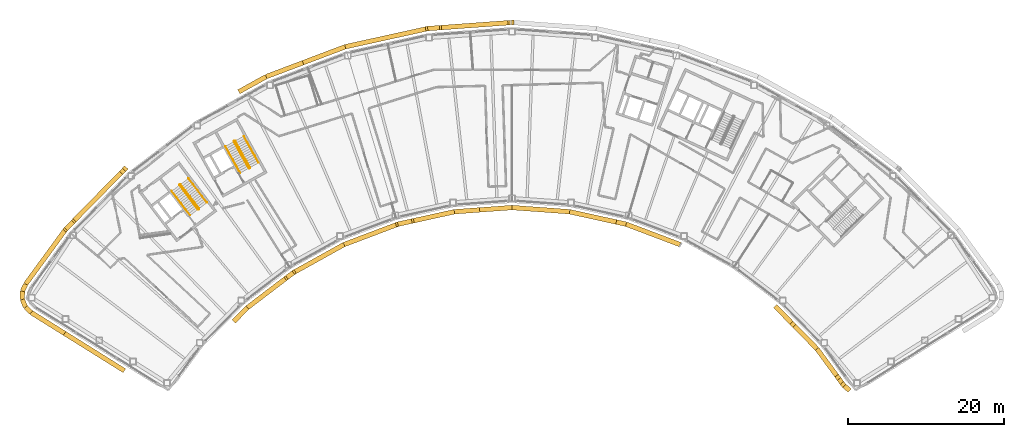
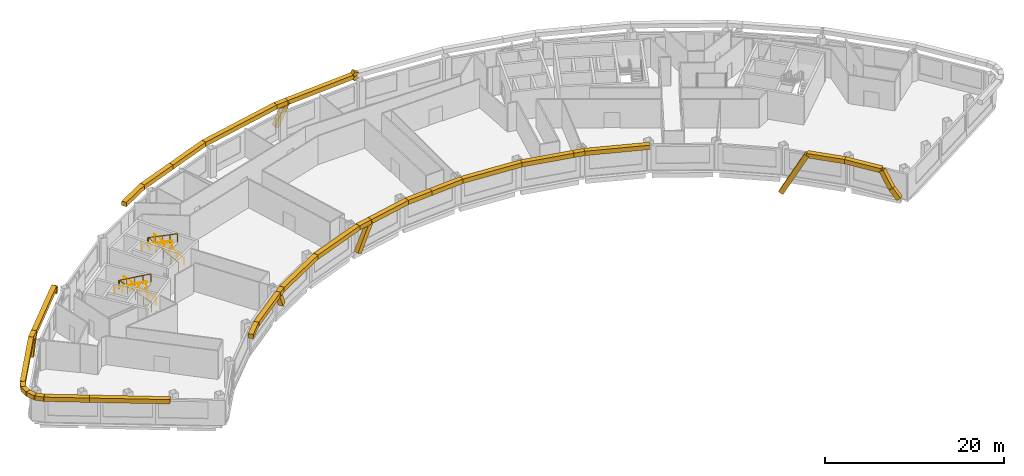
# One storey, part 12 of 13: 40 coverings, 6 railings.
"""IFC4 building model written with IfcOpenShell, lengths in metres."""

from ifc_helpers import new_model, si_unit, direction, frame, origin, origin_2d, place, context, subcontext, project, spatial, rectangle, circle, extrude, material, material_profile, profile_set, type_object, element, save


model = new_model("IFC4")

# Units and contexts
model_context = context("Model", 3, precision=1e-05, world=origin(), true_north=direction((0.0, 1.0)))
body_context = subcontext(model_context, "Body", "Model", "MODEL_VIEW")
ifc_project = project(units=[si_unit("LENGTHUNIT", "METRE"), si_unit("AREAUNIT", "SQUARE_METRE"), si_unit("VOLUMEUNIT", "CUBIC_METRE"), si_unit("PLANEANGLEUNIT", "RADIAN"), si_unit("MASSUNIT", "GRAM", prefix="KILO")], contexts=[model_context])

# Site, building, storey
site_placement = place(None, origin())
site = spatial("IfcSite", under=ifc_project, at=site_placement, CompositionType="ELEMENT")
building_placement = place(site_placement, origin())
building = spatial("IfcBuilding", under=site, at=building_placement, Name="Tuul Gate Civic Tower", CompositionType="ELEMENT")
storey_placement = place(building_placement, frame((0.0, 0.0, 290.0)))
storey = spatial("IfcBuildingStorey", under=building, at=storey_placement, Name="Level 65", CompositionType="ELEMENT", Elevation=290.0)

# Railings
ifc_material_1 = material(Name="Painted steel", Category="steel")
railing_type_1 = type_object("IfcRailingType", Name="Stair guard", PredefinedType="GUARDRAIL", material=ifc_material_1)
railing_1_placement = place(storey_placement, frame((-33.382080078125, -13.515380859375, 0.0)))
element("IfcRailing", 1, at=railing_1_placement, inside=storey, type_object=railing_type_1, Name="Level 65 ST-1 stair guard 1", PredefinedType="GUARDRAIL", context=body_context, shape_type="SweptSolid", body=[
    extrude(circle(Radius=0.02392578125, at=origin_2d()), frame((0.0, 0.0, 1.076171875), z_axis=(-0.795879841968, -0.605454603706, 0.0), x_axis=(0.605454603706, -0.795879841968, 0.0)), (0.0, 0.0, 1.0), 0.10009765625),
    extrude(circle(Radius=0.02392578125, at=origin_2d()), frame((-0.07958984375, -0.060546875, 1.076171875), z_axis=(0.408991890351, 0.599481263939, 0.688002796371), x_axis=(-0.826063974707, 0.563576356576, 0.0)), (0.0, 0.0, 1.0), 0.2177734375),
    extrude(circle(Radius=0.02392578125, at=origin_2d()), frame((0.009521484375, 0.070068359375, 1.22607421875), z_axis=(-0.541810893183, 0.711627203922, 0.44724454012), x_axis=(-0.795637165283, -0.60577347352, 0.0)), (0.0, 0.0, 1.0), 4.3603515625),
    extrude(circle(Radius=0.02392578125, at=origin_2d()), frame((-2.35302734375, 3.173095703125, 3.17626953125), z_axis=(-0.990893089246, 0.134650977284, 0.0), x_axis=(-0.134650977284, -0.990893089246, 0.0)), (0.0, 0.0, 1.0), 0.07080078125),
    extrude(circle(Radius=0.02392578125, at=origin_2d()), frame((-2.423095703125, 3.1826171875, 3.17626953125), z_axis=(-0.793802879778, -0.60817512943, 0.0), x_axis=(0.60817512943, -0.793802879778, 0.0)), (0.0, 0.0, 1.0), 0.099853515625),
    extrude(circle(Radius=0.02392578125, at=origin_2d()), frame((-2.50244140625, 3.121826171875, 3.17626953125), z_axis=(-0.057447065493, -0.422751481959, 0.904423031091), x_axis=(0.990893089246, -0.134650977284, 0.0)), (0.0, 0.0, 1.0), 0.165771484375),
    extrude(circle(Radius=0.02392578125, at=origin_2d()), frame((-2.511962890625, 3.0517578125, 3.326171875), z_axis=(0.541806494602, -0.71163897684, 0.447231136047), x_axis=(0.795644365679, 0.605764016233, 0.0)), (0.0, 0.0, 1.0), 4.360107421875),
    extrude(circle(Radius=0.02099609375, at=origin_2d()), origin(), (0.0, 0.0, 1.0), 1.052001953125),
    extrude(circle(Radius=0.02099609375, at=origin_2d()), frame((-0.07958984375, -0.060546875, 0.0)), (0.0, 0.0, 1.0), 1.052001953125),
    extrude(circle(Radius=0.02099609375, at=origin_2d()), frame((0.009521484375, 0.070068359375, 0.14990234375)), (0.0, 0.0, 1.0), 1.052001953125),
    extrude(circle(Radius=0.02099609375, at=origin_2d()), frame((-0.5810546875, 0.845703125, 0.637451171875)), (0.0, 0.0, 1.0), 1.052001953125),
    extrude(circle(Radius=0.02099609375, at=origin_2d()), frame((-1.171875, 1.62158203125, 1.125)), (0.0, 0.0, 1.0), 1.052001953125),
    extrude(circle(Radius=0.02099609375, at=origin_2d()), frame((-1.762451171875, 2.3974609375, 1.612548828125)), (0.0, 0.0, 1.0), 1.052001953125),
    extrude(circle(Radius=0.02099609375, at=origin_2d()), frame((-2.35302734375, 3.173095703125, 2.10009765625)), (0.0, 0.0, 1.0), 1.052001953125),
    extrude(circle(Radius=0.02099609375, at=origin_2d()), frame((-2.423095703125, 3.1826171875, 2.10009765625)), (0.0, 0.0, 1.0), 1.052001953125),
    extrude(circle(Radius=0.02099609375, at=origin_2d()), frame((-2.50244140625, 3.121826171875, 2.10009765625)), (0.0, 0.0, 1.0), 1.052001953125),
    extrude(circle(Radius=0.02099609375, at=origin_2d()), frame((-2.511962890625, 3.0517578125, 2.25)), (0.0, 0.0, 1.0), 1.052001953125),
    extrude(circle(Radius=0.02099609375, at=origin_2d()), frame((-1.92138671875, 2.276123046875, 2.737548828125)), (0.0, 0.0, 1.0), 1.052001953125),
    extrude(circle(Radius=0.02099609375, at=origin_2d()), frame((-1.330810546875, 1.50048828125, 3.22509765625)), (0.0, 0.0, 1.0), 1.052001953125),
    extrude(circle(Radius=0.02099609375, at=origin_2d()), frame((-0.740234375, 0.724609375, 3.71240234375)), (0.0, 0.0, 1.0), 1.052001953125),
    extrude(circle(Radius=0.02099609375, at=origin_2d()), frame((-0.149658203125, -0.051025390625, 4.199951171875)), (0.0, 0.0, 1.0), 1.052001953125),
])
railing_2_placement = place(storey_placement, frame((-26.857666015625, -8.247314453125, 0.0)))
element("IfcRailing", 2, at=railing_2_placement, inside=storey, type_object=railing_type_1, Name="Level 65 ST-2 stair guard 1", PredefinedType="GUARDRAIL", context=body_context, shape_type="SweptSolid", body=[
    extrude(circle(Radius=0.02392578125, at=origin_2d()), frame((0.0, 0.0, 1.076171875), z_axis=(-0.874616555828, -0.48481530532, 0.0), x_axis=(0.48481530532, -0.874616555828, 0.0)), (0.0, 0.0, 1.0), 0.10009765625),
    extrude(circle(Radius=0.02392578125, at=origin_2d()), frame((-0.087646484375, -0.048583984375, 1.076171875), z_axis=(0.49081399482, 0.534516610797, 0.688036056665), x_axis=(-0.736576986774, 0.676353711126, 0.0)), (0.0, 0.0, 1.0), 0.2177734375),
    extrude(circle(Radius=0.02392578125, at=origin_2d()), frame((0.019287109375, 0.06787109375, 1.22607421875), z_axis=(-0.433539057192, 0.782307594871, 0.447256875739), x_axis=(-0.874667644053, -0.484723129681, 0.0)), (0.0, 0.0, 1.0), 4.3603515625),
    extrude(circle(Radius=0.02392578125, at=origin_2d()), frame((-1.87109375, 3.47900390625, 3.17626953125), z_axis=(-0.961263487578, 0.275631107549, 0.0), x_axis=(-0.275631107549, -0.961263487578, 0.0)), (0.0, 0.0, 1.0), 0.07080078125),
    extrude(circle(Radius=0.02392578125, at=origin_2d()), frame((-1.939208984375, 3.49853515625, 3.17626953125), z_axis=(-0.874042088414, -0.485850211157, 0.0), x_axis=(0.485850211157, -0.874042088414, 0.0)), (0.0, 0.0, 1.0), 0.10009765625),
    extrude(circle(Radius=0.02392578125, at=origin_2d()), frame((-2.026611328125, 3.449951171875, 3.17626953125), z_axis=(-0.117866478395, -0.409586012422, 0.90462522168), x_axis=(0.961000426733, -0.276546885391, 0.0)), (0.0, 0.0, 1.0), 0.165771484375),
    extrude(circle(Radius=0.02392578125, at=origin_2d()), frame((-2.046142578125, 3.382080078125, 3.326171875), z_axis=(0.433595379963, -0.782308193291, 0.447201226726), x_axis=(0.874641102302, 0.484771020343, 0.0)), (0.0, 0.0, 1.0), 4.3603515625),
    extrude(circle(Radius=0.02099609375, at=origin_2d()), origin(), (0.0, 0.0, 1.0), 1.052001953125),
    extrude(circle(Radius=0.02099609375, at=origin_2d()), frame((-0.087646484375, -0.048583984375, 0.0)), (0.0, 0.0, 1.0), 1.052001953125),
    extrude(circle(Radius=0.02099609375, at=origin_2d()), frame((0.019287109375, 0.06787109375, 0.14990234375)), (0.0, 0.0, 1.0), 1.052001953125),
    extrude(circle(Radius=0.02099609375, at=origin_2d()), frame((-0.453369140625, 0.920654296875, 0.637451171875)), (0.0, 0.0, 1.0), 1.052001953125),
    extrude(circle(Radius=0.02099609375, at=origin_2d()), frame((-0.92578125, 1.7734375, 1.125)), (0.0, 0.0, 1.0), 1.052001953125),
    extrude(circle(Radius=0.02099609375, at=origin_2d()), frame((-1.3984375, 2.626220703125, 1.612548828125)), (0.0, 0.0, 1.0), 1.052001953125),
    extrude(circle(Radius=0.02099609375, at=origin_2d()), frame((-1.87109375, 3.47900390625, 2.10009765625)), (0.0, 0.0, 1.0), 1.052001953125),
    extrude(circle(Radius=0.02099609375, at=origin_2d()), frame((-1.939208984375, 3.49853515625, 2.10009765625)), (0.0, 0.0, 1.0), 1.052001953125),
    extrude(circle(Radius=0.02099609375, at=origin_2d()), frame((-2.026611328125, 3.449951171875, 2.10009765625)), (0.0, 0.0, 1.0), 1.052001953125),
    extrude(circle(Radius=0.02099609375, at=origin_2d()), frame((-2.046142578125, 3.382080078125, 2.25)), (0.0, 0.0, 1.0), 1.052001953125),
    extrude(circle(Radius=0.02099609375, at=origin_2d()), frame((-1.573486328125, 2.529296875, 2.737548828125)), (0.0, 0.0, 1.0), 1.052001953125),
    extrude(circle(Radius=0.02099609375, at=origin_2d()), frame((-1.100830078125, 1.676513671875, 3.22509765625)), (0.0, 0.0, 1.0), 1.052001953125),
    extrude(circle(Radius=0.02099609375, at=origin_2d()), frame((-0.628173828125, 0.82373046875, 3.71240234375)), (0.0, 0.0, 1.0), 1.052001953125),
    extrude(circle(Radius=0.02099609375, at=origin_2d()), frame((-0.155517578125, -0.029052734375, 4.199951171875)), (0.0, 0.0, 1.0), 1.052001953125),
])
ifc_material_2 = material(Name="Painted steel", Category="steel")
railing_type_2 = type_object("IfcRailingType", Name="Stair handrail", PredefinedType="HANDRAIL", material=ifc_material_2)
railing_3_placement = place(storey_placement, frame((-32.3779296875, -12.688232421875, 0.14990234375)))
element("IfcRailing", 3, at=railing_3_placement, inside=storey, type_object=railing_type_2, Name="Level 65 ST-1 stair handrail 1", PredefinedType="HANDRAIL", context=body_context, shape_type="SweptSolid", body=[
    extrude(circle(Radius=0.02392578125, at=origin_2d()), frame((0.0, 0.0, 0.8759765625), z_axis=(-0.541810893183, 0.711627203922, 0.44724454012), x_axis=(-0.795637165283, -0.60577347352, 0.0)), (0.0, 0.0, 1.0), 4.3603515625),
    extrude(circle(Radius=0.02099609375, at=origin_2d()), origin(), (0.0, 0.0, 1.0), 0.851806640625),
    extrude(circle(Radius=0.02099609375, at=origin_2d()), frame((-0.590576171875, 0.77587890625, 0.487548828125)), (0.0, 0.0, 1.0), 0.851806640625),
    extrude(circle(Radius=0.02099609375, at=origin_2d()), frame((-1.18115234375, 1.551513671875, 0.97509765625)), (0.0, 0.0, 1.0), 0.851806640625),
    extrude(circle(Radius=0.02099609375, at=origin_2d()), frame((-1.77197265625, 2.3271484375, 1.462646484375)), (0.0, 0.0, 1.0), 0.851806640625),
    extrude(circle(Radius=0.02099609375, at=origin_2d()), frame((-2.362548828125, 3.10302734375, 1.9501953125)), (0.0, 0.0, 1.0), 0.851806640625),
])
railing_4_placement = place(storey_placement, frame((-36.888671875, -11.220703125, 2.25)))
element("IfcRailing", 4, at=railing_4_placement, inside=storey, type_object=railing_type_2, Name="Level 65 ST-1 stair handrail 2", PredefinedType="HANDRAIL", context=body_context, shape_type="SweptSolid", body=[
    extrude(circle(Radius=0.02392578125, at=origin_2d()), frame((0.0, 0.0, 0.8759765625), z_axis=(0.541824460341, -0.711645023348, 0.447199748346), x_axis=(0.795637165283, 0.60577347352, 0.0)), (0.0, 0.0, 1.0), 4.3603515625),
    extrude(circle(Radius=0.02099609375, at=origin_2d()), origin(), (0.0, 0.0, 1.0), 0.851806640625),
    extrude(circle(Radius=0.02099609375, at=origin_2d()), frame((0.590576171875, -0.77587890625, 0.487548828125)), (0.0, 0.0, 1.0), 0.851806640625),
    extrude(circle(Radius=0.02099609375, at=origin_2d()), frame((1.18115234375, -1.551513671875, 0.97509765625)), (0.0, 0.0, 1.0), 0.851806640625),
    extrude(circle(Radius=0.02099609375, at=origin_2d()), frame((1.77197265625, -2.3271484375, 1.46240234375)), (0.0, 0.0, 1.0), 0.851806640625),
    extrude(circle(Radius=0.02099609375, at=origin_2d()), frame((2.362548828125, -3.10302734375, 1.949951171875)), (0.0, 0.0, 1.0), 0.851806640625),
])
railing_5_placement = place(storey_placement, frame((-25.744873046875, -7.573486328125, 0.14990234375)))
element("IfcRailing", 5, at=railing_5_placement, inside=storey, type_object=railing_type_2, Name="Level 65 ST-2 stair handrail 1", PredefinedType="HANDRAIL", context=body_context, shape_type="SweptSolid", body=[
    extrude(circle(Radius=0.02392578125, at=origin_2d()), frame((0.0, 0.0, 0.8759765625), z_axis=(-0.433584522764, 0.782288604346, 0.447246018574), x_axis=(-0.874641102302, -0.484771020343, 0.0)), (0.0, 0.0, 1.0), 4.3603515625),
    extrude(circle(Radius=0.02099609375, at=origin_2d()), origin(), (0.0, 0.0, 1.0), 0.851806640625),
    extrude(circle(Radius=0.02099609375, at=origin_2d()), frame((-0.47265625, 0.852783203125, 0.487548828125)), (0.0, 0.0, 1.0), 0.851806640625),
    extrude(circle(Radius=0.02099609375, at=origin_2d()), frame((-0.9453125, 1.70556640625, 0.97509765625)), (0.0, 0.0, 1.0), 0.851806640625),
    extrude(circle(Radius=0.02099609375, at=origin_2d()), frame((-1.41796875, 2.558349609375, 1.462646484375)), (0.0, 0.0, 1.0), 0.851806640625),
    extrude(circle(Radius=0.02099609375, at=origin_2d()), frame((-1.890625, 3.4111328125, 1.9501953125)), (0.0, 0.0, 1.0), 0.851806640625),
])
railing_6_placement = place(storey_placement, frame((-29.9970703125, -5.47119140625, 2.25)))
element("IfcRailing", 6, at=railing_6_placement, inside=storey, type_object=railing_type_2, Name="Level 65 ST-2 stair handrail 2", PredefinedType="HANDRAIL", context=body_context, shape_type="SweptSolid", body=[
    extrude(circle(Radius=0.02392578125, at=origin_2d()), frame((0.0, 0.0, 0.8759765625), z_axis=(0.433595379963, -0.782308193291, 0.447201226726), x_axis=(0.874641102302, 0.484771020343, 0.0)), (0.0, 0.0, 1.0), 4.3603515625),
    extrude(circle(Radius=0.02099609375, at=origin_2d()), origin(), (0.0, 0.0, 1.0), 0.851806640625),
    extrude(circle(Radius=0.02099609375, at=origin_2d()), frame((0.47265625, -0.852783203125, 0.487548828125)), (0.0, 0.0, 1.0), 0.851806640625),
    extrude(circle(Radius=0.02099609375, at=origin_2d()), frame((0.9453125, -1.70556640625, 0.97509765625)), (0.0, 0.0, 1.0), 0.851806640625),
    extrude(circle(Radius=0.02099609375, at=origin_2d()), frame((1.41796875, -2.558349609375, 1.46240234375)), (0.0, 0.0, 1.0), 0.851806640625),
    extrude(circle(Radius=0.02099609375, at=origin_2d()), frame((1.890625, -3.4111328125, 1.949951171875)), (0.0, 0.0, 1.0), 0.851806640625),
])

# Coverings
ifc_material_3 = material(Name="Terracotta baguette", Category="masonry")
ifc_material_profile = material_profile(ifc_material_3, rectangle(XDim=0.60009765625, YDim=0.60009765625, at=origin_2d()), Name="Terracotta baguette screen frame")
ifc_profile_set = profile_set([ifc_material_profile], Name="Terracotta baguette")
covering_type = type_object("IfcCoveringType", Name="Terracotta baguette screen frame", PredefinedType="CLADDING", material=ifc_profile_set)
for number, where, z_axis, x_axis, name in (
    (7, (6.7880859375, 10.43505859375, 4.34814453125), (-0.473997553989, -0.034503916578, -0.879849872736), (0.072601349588, -0.997361039964, 0.0), "Baguette 70"),
    (8, (6.519775390625, 10.41552734375, 3.85009765625), (0.473817740473, 0.034490827332, -0.879947232306), (-0.072601349588, 0.997361039964, 0.0), "Baguette 73"),
):
    element("IfcCovering", number, at=place(storey_placement, frame(where, z_axis=z_axis, x_axis=x_axis)), inside=storey, type_object=covering_type, Name=name, PredefinedType="CLADDING", context=body_context, shape_type="SweptSolid", body=[
        extrude(rectangle(XDim=0.60009765625, YDim=0.60009765625, at=origin_2d()), origin(), (0.0, 0.0, 1.0), 0.566162109375),
    ])
covering_1_placement = place(storey_placement, frame((6.519775390625, 10.41552734375, 3.85009765625), z_axis=(-0.997386341974, -0.072252922734, 0.0), x_axis=(0.072252922734, -0.997386341974, 0.0)))
element("IfcCovering", 9, at=covering_1_placement, inside=storey, type_object=covering_type, Name="Baguette 75", PredefinedType="CLADDING", context=body_context, shape_type="SweptSolid", body=[
    extrude(rectangle(XDim=0.60009765625, YDim=0.60009765625, at=origin_2d()), origin(), (0.0, 0.0, 1.0), 9.072509765625),
])
covering_2_placement = place(storey_placement, frame((-2.529052734375, 9.760009765625, 3.85009765625), z_axis=(-0.473954067998, -0.034282113903, -0.879881968274), x_axis=(0.072143664594, -0.997394250865, 0.0)))
element("IfcCovering", 10, at=covering_2_placement, inside=storey, type_object=covering_type, Name="Baguette 79", PredefinedType="CLADDING", context=body_context, shape_type="SweptSolid", body=[
    extrude(rectangle(XDim=0.60009765625, YDim=0.60009765625, at=origin_2d()), origin(), (0.0, 0.0, 1.0), 3.17626953125),
])
covering_3_placement = place(storey_placement, frame((-20.041748046875, 5.26953125, 3.85009765625), z_axis=(-0.935351328768, -0.353720075442, 0.0), x_axis=(0.353720075442, -0.935351328768, 0.0)))
element("IfcCovering", 11, at=covering_3_placement, inside=storey, type_object=covering_type, Name="Baguette 96", PredefinedType="CLADDING", context=body_context, shape_type="SweptSolid", body=[
    extrude(rectangle(XDim=0.60009765625, YDim=0.60009765625, at=origin_2d()), origin(), (0.0, 0.0, 1.0), 5.06689453125),
])
covering_4_placement = place(storey_placement, frame((-24.781005859375, 3.477294921875, 3.85009765625), z_axis=(-0.874628361903, -0.484794006312, 0.0), x_axis=(0.484794006312, -0.874628361903, 0.0)))
element("IfcCovering", 12, at=covering_4_placement, inside=storey, type_object=covering_type, Name="Baguette 97", PredefinedType="CLADDING", context=body_context, shape_type="SweptSolid", body=[
    extrude(rectangle(XDim=0.60009765625, YDim=0.60009765625, at=origin_2d()), origin(), (0.0, 0.0, 1.0), 4.005615234375),
])
covering_5_placement = place(storey_placement, frame((-43.218994140625, -8.677001953125, 3.85009765625), z_axis=(0.332665127515, 0.339401337262, -0.879852626978), x_axis=(-0.714158332197, 0.69998419736, 0.0)))
element("IfcCovering", 13, at=covering_5_placement, inside=storey, type_object=covering_type, Name="Baguette 115", PredefinedType="CLADDING", context=body_context, shape_type="SweptSolid", body=[
    extrude(rectangle(XDim=0.60009765625, YDim=0.60009765625, at=origin_2d()), origin(), (0.0, 0.0, 1.0), 0.9423828125),
])
covering_6_placement = place(storey_placement, frame((-43.218994140625, -8.677001953125, 3.85009765625), z_axis=(-0.700048272114, -0.714095523519, 0.0), x_axis=(0.714095523519, -0.700048272114, 0.0)))
element("IfcCovering", 14, at=covering_6_placement, inside=storey, type_object=covering_type, Name="Baguette 117", PredefinedType="CLADDING", context=body_context, shape_type="SweptSolid", body=[
    extrude(rectangle(XDim=0.60009765625, YDim=0.60009765625, at=origin_2d()), origin(), (0.0, 0.0, 1.0), 9.072265625),
])
covering_7_placement = place(storey_placement, frame((-49.570068359375, -15.155517578125, 3.85009765625), z_axis=(-0.33267215135, -0.339297697341, -0.879889943285), x_axis=(0.714044065429, -0.70010075891, 0.0)))
element("IfcCovering", 15, at=covering_7_placement, inside=storey, type_object=covering_type, Name="Baguette 121", PredefinedType="CLADDING", context=body_context, shape_type="SweptSolid", body=[
    extrude(rectangle(XDim=0.60009765625, YDim=0.60009765625, at=origin_2d()), origin(), (0.0, 0.0, 1.0), 2.800537109375),
])
covering_8_placement = place(storey_placement, frame((-50.657470703125, -29.478515625, 3.85009765625), z_axis=(0.848058898511, -0.529901976461, 0.0), x_axis=(0.529901976461, 0.848058898511, 0.0)))
element("IfcCovering", 16, at=covering_8_placement, inside=storey, type_object=covering_type, Name="Baguette 150", PredefinedType="CLADDING", context=body_context, shape_type="SweptSolid", body=[
    extrude(rectangle(XDim=0.60009765625, YDim=0.60009765625, at=origin_2d()), origin(), (0.0, 0.0, 1.0), 9.05322265625),
])
covering_9_placement = place(storey_placement, frame((-28.919677734375, -27.94580078125, 3.85009765625), z_axis=(0.700087148809, 0.714057409507, 0.0), x_axis=(-0.714057409507, 0.700087148809, 0.0)))
element("IfcCovering", 17, at=covering_9_placement, inside=storey, type_object=covering_type, Name="Baguette 181", PredefinedType="CLADDING", context=body_context, shape_type="SweptSolid", body=[
    extrude(rectangle(XDim=0.60009765625, YDim=0.60009765625, at=origin_2d()), origin(), (0.0, 0.0, 1.0), 2.4814453125),
])
covering_10_placement = place(storey_placement, frame((-27.182373046875, -26.173828125, 3.85009765625), z_axis=(0.795568060783, 0.60586422626, 0.0), x_axis=(-0.60586422626, 0.795568060783, 0.0)))
element("IfcCovering", 18, at=covering_10_placement, inside=storey, type_object=covering_type, Name="Baguette 182", PredefinedType="CLADDING", context=body_context, shape_type="SweptSolid", body=[
    extrude(rectangle(XDim=0.60009765625, YDim=0.60009765625, at=origin_2d()), origin(), (0.0, 0.0, 1.0), 6.370361328125),
])
covering_11_placement = place(storey_placement, frame((-22.1142578125, -22.314208984375, 3.85009765625), z_axis=(0.370820969139, 0.282380222324, -0.884733416848), x_axis=(-0.605839521282, 0.795586874234, 0.0)))
element("IfcCovering", 19, at=covering_11_placement, inside=storey, type_object=covering_type, Name="Baguette 186", PredefinedType="CLADDING", context=body_context, shape_type="SweptSolid", body=[
    extrude(rectangle(XDim=0.60009765625, YDim=0.60009765625, at=origin_2d()), origin(), (0.0, 0.0, 1.0), 2.2470703125),
])
covering_12_placement = place(storey_placement, frame((-6.07666015625, -15.06787109375, 3.85009765625), z_axis=(-0.455204171514, -0.100329949915, -0.884716374544), x_axis=(0.215240395152, -0.976561095014, 0.0)))
element("IfcCovering", 20, at=covering_12_placement, inside=storey, type_object=covering_type, Name="Baguette 204", PredefinedType="CLADDING", context=body_context, shape_type="SweptSolid", body=[
    extrude(rectangle(XDim=0.60009765625, YDim=0.60009765625, at=origin_2d()), origin(), (0.0, 0.0, 1.0), 3.905517578125),
])
covering_13_placement = place(storey_placement, frame((-6.07666015625, -15.06787109375, 3.85009765625), z_axis=(0.97655816768, 0.215253676247, 0.0), x_axis=(-0.215253676247, 0.97655816768, 0.0)))
element("IfcCovering", 21, at=covering_13_placement, inside=storey, type_object=covering_type, Name="Baguette 206", PredefinedType="CLADDING", context=body_context, shape_type="SweptSolid", body=[
    extrude(rectangle(XDim=0.60009765625, YDim=0.60009765625, at=origin_2d()), origin(), (0.0, 0.0, 1.0), 5.59716796875),
])
covering_14_placement = place(storey_placement, frame((-0.610595703125, -13.863037109375, 3.85009765625), z_axis=(0.997387381497, 0.072238571629, 0.0), x_axis=(-0.072238571629, 0.997387381497, 0.0)))
element("IfcCovering", 22, at=covering_14_placement, inside=storey, type_object=covering_type, Name="Baguette 207", PredefinedType="CLADDING", context=body_context, shape_type="SweptSolid", body=[
    extrude(rectangle(XDim=0.60009765625, YDim=0.60009765625, at=origin_2d()), origin(), (0.0, 0.0, 1.0), 3.254638671875),
])
covering_15_placement = place(storey_placement, frame((20.165771484375, -15.180908203125, 3.85009765625), z_axis=(0.97654942651, -0.215293329165, 0.0), x_axis=(0.215293329165, 0.97654942651, 0.0)))
element("IfcCovering", 23, at=covering_15_placement, inside=storey, type_object=covering_type, Name="Baguette 229", PredefinedType="CLADDING", context=body_context, shape_type="SweptSolid", body=[
    extrude(rectangle(XDim=0.60009765625, YDim=0.60009765625, at=origin_2d()), origin(), (0.0, 0.0, 1.0), 1.294921875),
])
covering_16_placement = place(storey_placement, frame((21.430419921875, -15.459716796875, 3.85009765625), z_axis=(0.935368082117, -0.353675770951, 0.0), x_axis=(0.353675770951, 0.935368082117, 0.0)))
element("IfcCovering", 24, at=covering_16_placement, inside=storey, type_object=covering_type, Name="Baguette 230", PredefinedType="CLADDING", context=body_context, shape_type="SweptSolid", body=[
    extrude(rectangle(XDim=0.60009765625, YDim=0.60009765625, at=origin_2d()), origin(), (0.0, 0.0, 1.0), 7.41796875),
])
covering_17_placement = place(storey_placement, frame((42.86328125, -28.321044921875, 3.85009765625), z_axis=(-0.326328454044, 0.332876218199, -0.88470512796), x_axis=(-0.714095122772, -0.700048680903, 0.0)))
element("IfcCovering", 25, at=covering_17_placement, inside=storey, type_object=covering_type, Name="Baguette 250", PredefinedType="CLADDING", context=body_context, shape_type="SweptSolid", body=[
    extrude(rectangle(XDim=0.60009765625, YDim=0.60009765625, at=origin_2d()), origin(), (0.0, 0.0, 1.0), 6.450439453125),
])
covering_18_placement = place(storey_placement, frame((42.86328125, -28.321044921875, 3.85009765625), z_axis=(0.700043190596, -0.714100505041, 0.0), x_axis=(0.714100505041, 0.700043190596, 0.0)))
element("IfcCovering", 26, at=covering_18_placement, inside=storey, type_object=covering_type, Name="Baguette 252", PredefinedType="CLADDING", context=body_context, shape_type="SweptSolid", body=[
    extrude(rectangle(XDim=0.60009765625, YDim=0.60009765625, at=origin_2d()), origin(), (0.0, 0.0, 1.0), 4.411376953125),
])
covering_19_placement = place(storey_placement, frame((45.951416015625, -31.47119140625, 3.85009765625), z_axis=(0.589863497753, -0.807502974619, 0.0), x_axis=(0.807502974619, 0.589863497753, 0.0)))
element("IfcCovering", 27, at=covering_19_placement, inside=storey, type_object=covering_type, Name="Baguette 253", PredefinedType="CLADDING", context=body_context, shape_type="SweptSolid", body=[
    extrude(rectangle(XDim=0.60009765625, YDim=0.60009765625, at=origin_2d()), origin(), (0.0, 0.0, 1.0), 4.5185546875),
])
covering_20_placement = place(storey_placement, frame((48.61669921875, -35.119873046875, 3.85009765625), z_axis=(0.278612971209, -0.381554711738, -0.881357370324), x_axis=(0.807608329119, 0.589719243995, 0.0)))
element("IfcCovering", 28, at=covering_20_placement, inside=storey, type_object=covering_type, Name="Baguette 258", PredefinedType="CLADDING", context=body_context, shape_type="SweptSolid", body=[
    extrude(rectangle(XDim=0.60009765625, YDim=0.60009765625, at=origin_2d()), origin(), (0.0, 0.0, 1.0), 2.4404296875),
])
covering_21_placement = place(storey_placement, frame((49.296630859375, -36.051025390625, 1.69921875), z_axis=(0.418296815722, -0.392357132014, -0.81919695734), x_axis=(0.684130296537, 0.729359813371, 0.0)))
element("IfcCovering", 29, at=covering_21_placement, inside=storey, type_object=covering_type, Name="Baguette 259", PredefinedType="CLADDING", context=body_context, shape_type="SweptSolid", body=[
    extrude(rectangle(XDim=0.60009765625, YDim=0.60009765625, at=origin_2d()), origin(), (0.0, 0.0, 1.0), 1.57177734375),
])
covering_22_placement = place(storey_placement, frame((-2.529052734375, 9.760009765625, 3.85009765625), z_axis=(-0.997394250865, -0.072143664594, 0.0), x_axis=(0.072143664594, -0.997394250865, 0.0)))
element("IfcCovering", 30, at=covering_22_placement, inside=storey, type_object=covering_type, Name="Baguette 308", PredefinedType="CLADDING", context=body_context, shape_type="SweptSolid", body=[
    extrude(rectangle(XDim=0.60009765625, YDim=0.60009765625, at=origin_2d()), origin(), (0.0, 0.0, 1.0), 1.50927734375),
])
covering_23_placement = place(storey_placement, frame((-4.034423828125, 9.651123046875, 3.85009765625), z_axis=(-0.976565652409, -0.215219716881, 0.0), x_axis=(0.215219716881, -0.976565652409, 0.0)))
element("IfcCovering", 31, at=covering_23_placement, inside=storey, type_object=covering_type, Name="Baguette 309", PredefinedType="CLADDING", context=body_context, shape_type="SweptSolid", body=[
    extrude(rectangle(XDim=0.60009765625, YDim=0.60009765625, at=origin_2d()), origin(), (0.0, 0.0, 1.0), 10.8515625),
])
covering_24_placement = place(storey_placement, frame((-14.631591796875, 7.315673828125, 3.85009765625), z_axis=(-0.935340241079, -0.353749393524, 0.0), x_axis=(0.353749393524, -0.935340241079, 0.0)))
element("IfcCovering", 32, at=covering_24_placement, inside=storey, type_object=covering_type, Name="Baguette 310", PredefinedType="CLADDING", context=body_context, shape_type="SweptSolid", body=[
    extrude(rectangle(XDim=0.60009765625, YDim=0.60009765625, at=origin_2d()), origin(), (0.0, 0.0, 1.0), 5.7841796875),
])
covering_25_placement = place(storey_placement, frame((-49.570068359375, -15.155517578125, 3.85009765625), z_axis=(-0.70010075891, -0.714044065429, 0.0), x_axis=(0.714044065429, -0.70010075891, 0.0)))
element("IfcCovering", 33, at=covering_25_placement, inside=storey, type_object=covering_type, Name="Baguette 322", PredefinedType="CLADDING", context=body_context, shape_type="SweptSolid", body=[
    extrude(rectangle(XDim=0.60009765625, YDim=0.60009765625, at=origin_2d()), origin(), (0.0, 0.0, 1.0), 1.330810546875),
])
covering_26_placement = place(storey_placement, frame((-50.501708984375, -16.105712890625, 3.85009765625), z_axis=(-0.589746057962, -0.807588748756, 0.0), x_axis=(0.807588748756, -0.589746057962, 0.0)))
element("IfcCovering", 34, at=covering_26_placement, inside=storey, type_object=covering_type, Name="Baguette 323", PredefinedType="CLADDING", context=body_context, shape_type="SweptSolid", body=[
    extrude(rectangle(XDim=0.60009765625, YDim=0.60009765625, at=origin_2d()), origin(), (0.0, 0.0, 1.0), 8.73486328125),
])
covering_27_placement = place(storey_placement, frame((-55.653076171875, -23.159912109375, 3.85009765625), z_axis=(-0.413393330634, -0.910552554325, 0.0), x_axis=(0.910552554325, -0.413393330634, 0.0)))
element("IfcCovering", 35, at=covering_27_placement, inside=storey, type_object=covering_type, Name="Baguette 324", PredefinedType="CLADDING", context=body_context, shape_type="SweptSolid", body=[
    extrude(rectangle(XDim=0.60009765625, YDim=0.60009765625, at=origin_2d()), origin(), (0.0, 0.0, 1.0), 0.988037109375),
])
covering_28_placement = place(storey_placement, frame((-56.0615234375, -24.0595703125, 3.85009765625), z_axis=(-0.014627006458, -0.999893019619, 0.0), x_axis=(0.999893019619, -0.014627006458, 0.0)))
element("IfcCovering", 36, at=covering_28_placement, inside=storey, type_object=covering_type, Name="Baguette 325", PredefinedType="CLADDING", context=body_context, shape_type="SweptSolid", body=[
    extrude(rectangle(XDim=0.60009765625, YDim=0.60009765625, at=origin_2d()), origin(), (0.0, 0.0, 1.0), 1.068115234375),
])
covering_29_placement = place(storey_placement, frame((-56.0771484375, -25.127685546875, 3.85009765625), z_axis=(0.386726676251, -0.922194381829, 0.0), x_axis=(0.922194381829, 0.386726676251, 0.0)))
element("IfcCovering", 37, at=covering_29_placement, inside=storey, type_object=covering_type, Name="Baguette 326", PredefinedType="CLADDING", context=body_context, shape_type="SweptSolid", body=[
    extrude(rectangle(XDim=0.60009765625, YDim=0.60009765625, at=origin_2d()), origin(), (0.0, 0.0, 1.0), 1.06689453125),
])
covering_30_placement = place(storey_placement, frame((-55.66455078125, -26.111572265625, 3.85009765625), z_axis=(0.721550422979, -0.69236189027, 0.0), x_axis=(0.69236189027, 0.721550422979, 0.0)))
element("IfcCovering", 38, at=covering_30_placement, inside=storey, type_object=covering_type, Name="Baguette 327", PredefinedType="CLADDING", context=body_context, shape_type="SweptSolid", body=[
    extrude(rectangle(XDim=0.60009765625, YDim=0.60009765625, at=origin_2d()), origin(), (0.0, 0.0, 1.0), 0.987060546875),
])
covering_31_placement = place(storey_placement, frame((-54.952392578125, -26.794921875, 3.85009765625), z_axis=(0.848063296271, -0.529894938188, 0.0), x_axis=(0.529894938188, 0.848063296271, 0.0)))
element("IfcCovering", 39, at=covering_31_placement, inside=storey, type_object=covering_type, Name="Baguette 328", PredefinedType="CLADDING", context=body_context, shape_type="SweptSolid", body=[
    extrude(rectangle(XDim=0.60009765625, YDim=0.60009765625, at=origin_2d()), origin(), (0.0, 0.0, 1.0), 5.064453125),
])
covering_32_placement = place(storey_placement, frame((-22.1142578125, -22.314208984375, 3.85009765625), z_axis=(0.795586874234, 0.605839521282, 0.0), x_axis=(-0.605839521282, 0.795586874234, 0.0)))
element("IfcCovering", 40, at=covering_32_placement, inside=storey, type_object=covering_type, Name="Baguette 344", PredefinedType="CLADDING", context=body_context, shape_type="SweptSolid", body=[
    extrude(rectangle(XDim=0.60009765625, YDim=0.60009765625, at=origin_2d()), origin(), (0.0, 0.0, 1.0), 1.04736328125),
])
covering_33_placement = place(storey_placement, frame((-21.281005859375, -21.6796875, 3.85009765625), z_axis=(0.874616400337, 0.484815585828, 0.0), x_axis=(-0.484815585828, 0.874616400337, 0.0)))
element("IfcCovering", 41, at=covering_33_placement, inside=storey, type_object=covering_type, Name="Baguette 345", PredefinedType="CLADDING", context=body_context, shape_type="SweptSolid", body=[
    extrude(rectangle(XDim=0.60009765625, YDim=0.60009765625, at=origin_2d()), origin(), (0.0, 0.0, 1.0), 7.418212890625),
])
covering_34_placement = place(storey_placement, frame((-14.79296875, -18.083251953125, 3.85009765625), z_axis=(0.935368082117, 0.353675770951, 0.0), x_axis=(-0.353675770951, 0.935368082117, 0.0)))
element("IfcCovering", 42, at=covering_34_placement, inside=storey, type_object=covering_type, Name="Baguette 346", PredefinedType="CLADDING", context=body_context, shape_type="SweptSolid", body=[
    extrude(rectangle(XDim=0.60009765625, YDim=0.60009765625, at=origin_2d()), origin(), (0.0, 0.0, 1.0), 7.41796875),
])
covering_35_placement = place(storey_placement, frame((-7.8544921875, -15.459716796875, 3.85009765625), z_axis=(0.976561095014, 0.215240395152, 0.0), x_axis=(-0.215240395152, 0.976561095014, 0.0)))
element("IfcCovering", 43, at=covering_35_placement, inside=storey, type_object=covering_type, Name="Baguette 347", PredefinedType="CLADDING", context=body_context, shape_type="SweptSolid", body=[
    extrude(rectangle(XDim=0.60009765625, YDim=0.60009765625, at=origin_2d()), origin(), (0.0, 0.0, 1.0), 1.820556640625),
])
covering_36_placement = place(storey_placement, frame((2.635498046875, -13.6279296875, 3.85009765625), z_axis=(0.997382835281, 0.072301313181, 0.0), x_axis=(-0.072301313181, 0.997382835281, 0.0)))
element("IfcCovering", 44, at=covering_36_placement, inside=storey, type_object=covering_type, Name="Baguette 352", PredefinedType="CLADDING", context=body_context, shape_type="SweptSolid", body=[
    extrude(rectangle(XDim=0.60009765625, YDim=0.60009765625, at=origin_2d()), origin(), (0.0, 0.0, 1.0), 4.16357421875),
])
covering_37_placement = place(storey_placement, frame((6.7880859375, -13.326904296875, 3.85009765625), z_axis=(0.997384658444, -0.072276158591, 0.0), x_axis=(0.072276158591, 0.997384658444, 0.0)))
element("IfcCovering", 45, at=covering_37_placement, inside=storey, type_object=covering_type, Name="Baguette 353", PredefinedType="CLADDING", context=body_context, shape_type="SweptSolid", body=[
    extrude(rectangle(XDim=0.60009765625, YDim=0.60009765625, at=origin_2d()), origin(), (0.0, 0.0, 1.0), 7.417724609375),
])
covering_38_placement = place(storey_placement, frame((14.1865234375, -13.863037109375, 3.85009765625), z_axis=(0.976560886687, -0.215241340343, 0.0), x_axis=(0.215241340343, 0.976560886687, 0.0)))
element("IfcCovering", 46, at=covering_38_placement, inside=storey, type_object=covering_type, Name="Baguette 354", PredefinedType="CLADDING", context=body_context, shape_type="SweptSolid", body=[
    extrude(rectangle(XDim=0.60009765625, YDim=0.60009765625, at=origin_2d()), origin(), (0.0, 0.0, 1.0), 6.122802734375),
])

save(model, "model.ifc")
